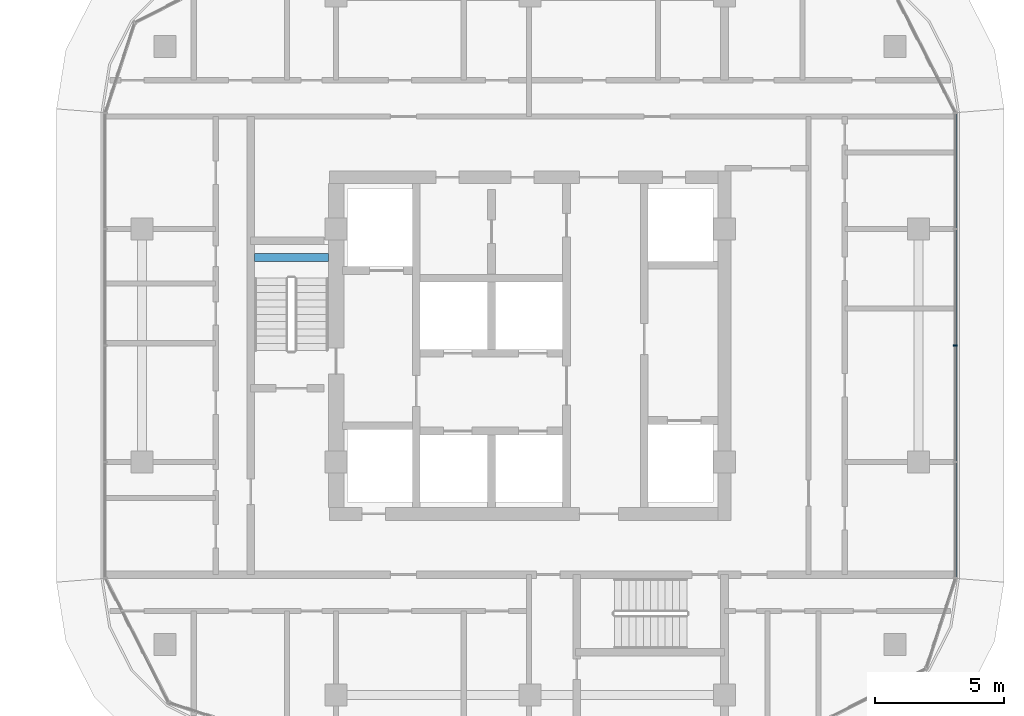
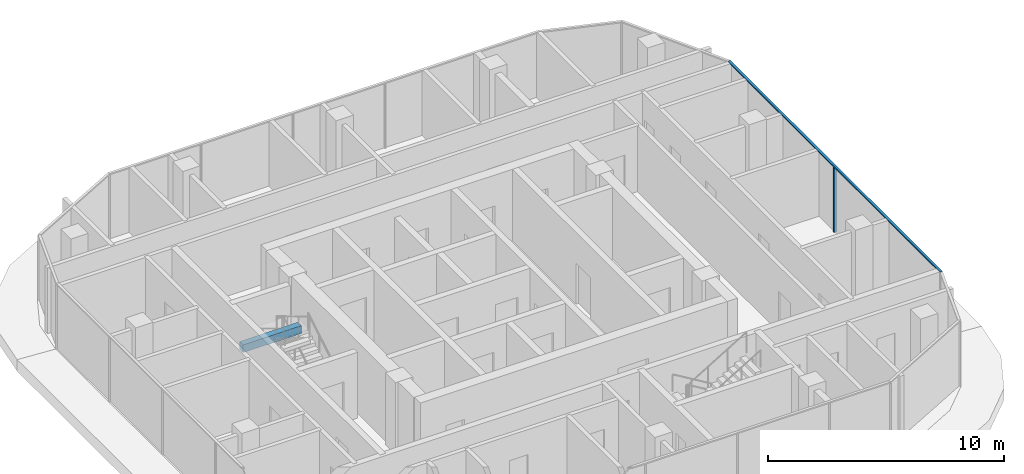
# One storey, part 12 of 36: 2 members, 1 beam, 1 element without a shape of its own.
"""IFC4 building model written with IfcOpenShell, lengths in metres."""

from ifc_helpers import new_model, si_unit, direction, frame, origin, origin_2d, place, context, subcontext, project, spatial, rectangle, extrude, material, material_profile, profile_set, type_object, element, aggregate, save


model = new_model("IFC4")

# Units and contexts
model_context = context("Model", 3, precision=1e-05, world=origin(), true_north=direction((0.0, 1.0)))
body_context = subcontext(model_context, "Body", "Model", "MODEL_VIEW")
ifc_project = project(units=[si_unit("LENGTHUNIT", "METRE"), si_unit("AREAUNIT", "SQUARE_METRE"), si_unit("VOLUMEUNIT", "CUBIC_METRE"), si_unit("PLANEANGLEUNIT", "RADIAN"), si_unit("MASSUNIT", "GRAM", prefix="KILO")], contexts=[model_context])

# Site, building, storey
site_placement = place(None, origin())
site = spatial("IfcSite", under=ifc_project, at=site_placement, CompositionType="ELEMENT")
building_placement = place(site_placement, origin())
building = spatial("IfcBuilding", under=site, at=building_placement, Name="Ogive Portal Towers", CompositionType="ELEMENT")
storey_placement = place(building_placement, frame((0.0, 0.0, 70.5)))
storey = spatial("IfcBuildingStorey", under=building, at=storey_placement, Name="L16", CompositionType="ELEMENT", Elevation=70.5)

# Beam
ifc_material_1 = material(Name="Concrete C40/50", Category="concrete")
ifc_material_profile_1 = material_profile(ifc_material_1, rectangle(XDim=0.300048828125, YDim=0.39990234375, at=origin_2d()), Name="RC 300x400")
ifc_profile_set_1 = profile_set([ifc_material_profile_1], Name="Concrete C40/50")
beam_type = type_object("IfcBeamType", Name="BEAM RC 300x400", PredefinedType="BEAM", material=ifc_profile_set_1)
beam_placement = place(storey_placement, frame((125.85009765625, 34.39990234375, 1.449951171875), z_axis=(1.0, 0.0, 0.0), x_axis=(0.0, 1.0, 0.0)))
element("IfcBeam", 1, at=beam_placement, inside=storey, type_object=beam_type, Name="Landing beam L16", PredefinedType="BEAM", context=body_context, shape_type="SweptSolid", body=[
    extrude(rectangle(XDim=0.300048828125, YDim=0.39990234375, at=origin_2d()), origin(), (0.0, 0.0, 1.0), 2.849853515625),
])

# Curtain wall, members
ifc_material_2 = material(Name="Glass, clear low-iron insulated glazing", Category="glass")
curtain_wall_type = type_object("IfcCurtainWallType", Name="CW RESIDENCES RIBBON", PredefinedType="NOTDEFINED", material=ifc_material_2)
curtain_wall_placement = place(storey_placement, origin())
curtain_wall = element("IfcCurtainWall", 2, at=curtain_wall_placement, inside=storey, type_object=curtain_wall_type, Name="B:L16:f05:cw0", PredefinedType="NOTDEFINED")
ifc_material_3 = material(Name="Aluminium 6063 anodised", Category="aluminium")
ifc_material_profile_2 = material_profile(ifc_material_3, rectangle(XDim=0.159912109375, YDim=0.06005859375, at=origin_2d()), Name="AL 60x160")
ifc_profile_set_2 = profile_set([ifc_material_profile_2], Name="Aluminium 6063 anodised")
member_type_1 = type_object("IfcMemberType", Name="CW MULLION 60x160", PredefinedType="MULLION", material=ifc_profile_set_2)
member_1_placement = place(storey_placement, frame((152.919921875, 31.0, 0.0), z_axis=(0.0, 0.0, 1.0), x_axis=(-1.0, 0.0, 0.0)))
member_1 = element("IfcMember", 3, at=member_1_placement, type_object=member_type_1, Name="mullion", PredefinedType="MULLION", context=body_context, shape_type="SweptSolid", body=[
    extrude(rectangle(XDim=0.159912109375, YDim=0.06005859375, at=origin_2d()), origin(), (0.0, 0.0, 1.0), 3.340087890625),
])
ifc_material_profile_3 = material_profile(ifc_material_3, rectangle(XDim=0.1201171875, YDim=0.06005859375, at=origin_2d()), Name="AL 120x60")
ifc_profile_set_3 = profile_set([ifc_material_profile_3], Name="Aluminium 6063 anodised")
member_type_2 = type_object("IfcMemberType", Name="CW TRANSOM 60x120", PredefinedType="USERDEFINED", material=ifc_profile_set_3)
member_2_placement = place(storey_placement, frame((152.919921875, 22.0126953125, 3.3701171875), z_axis=(0.0, 1.0, 0.0), x_axis=(-1.0, 0.0, 0.0)))
member_2 = element("IfcMember", 4, at=member_2_placement, type_object=member_type_2, Name="transom", ObjectType="TRANSOM", PredefinedType="USERDEFINED", context=body_context, shape_type="SweptSolid", body=[
    extrude(rectangle(XDim=0.1201171875, YDim=0.06005859375, at=origin_2d()), origin(), (0.0, 0.0, 1.0), 17.968017578125),
])
aggregate(curtain_wall, [member_2, member_1])

save(model, "model.ifc")
